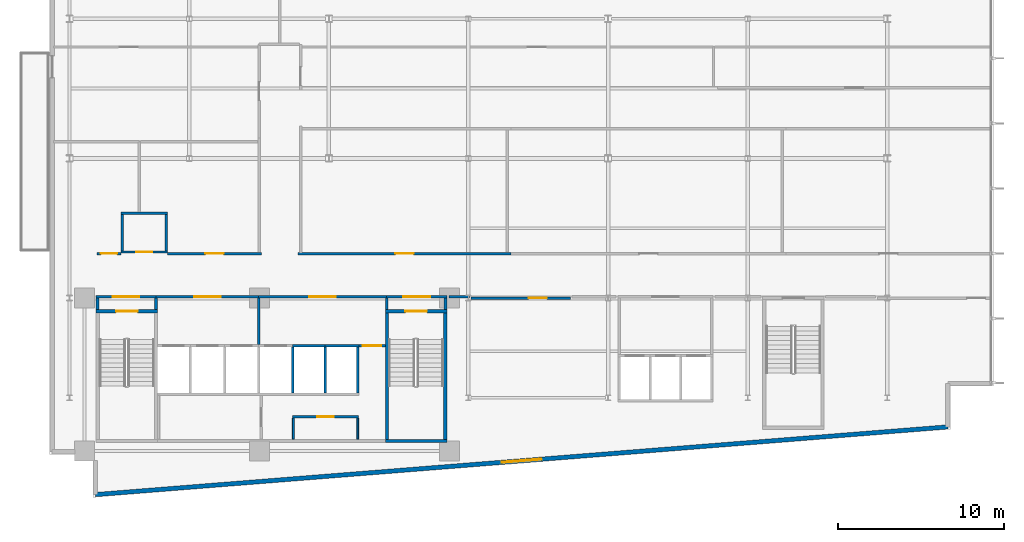
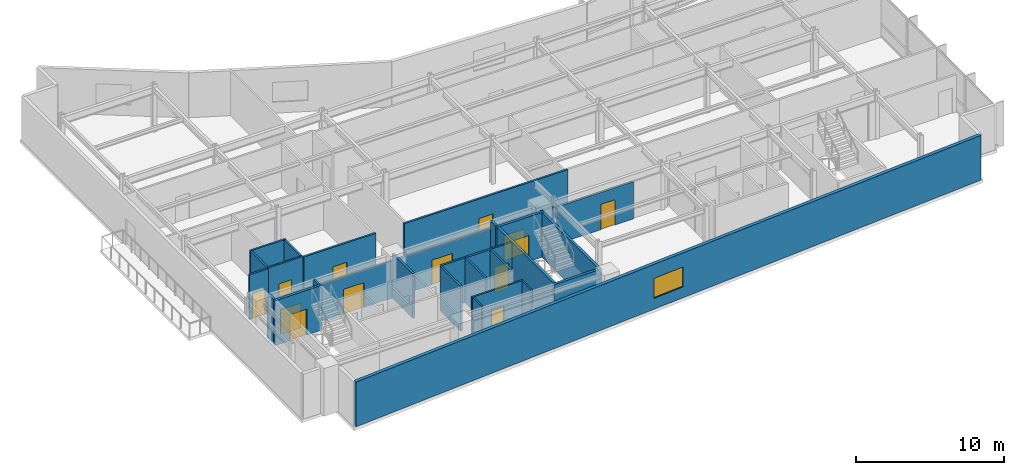
# One storey, part 10 of 16: 33 walls, 13 doors, 1 window, 14 openings.
"""IFC4 building model written with IfcOpenShell, lengths in metres."""

from ifc_helpers import new_model, si_unit, direction, frame, frame_2d, origin, place, context, subcontext, project, spatial, rectangle, extrude, material, layer, layer_set, type_object, element, fill, save


model = new_model("IFC4")

# Units and contexts
model_context = context("Model", 3, precision=1e-05, world=origin(), true_north=direction((0.0, 1.0)))
body_context = subcontext(model_context, "Body", "Model", "MODEL_VIEW")
ifc_project = project(units=[si_unit("LENGTHUNIT", "METRE"), si_unit("AREAUNIT", "SQUARE_METRE"), si_unit("VOLUMEUNIT", "CUBIC_METRE"), si_unit("PLANEANGLEUNIT", "RADIAN"), si_unit("MASSUNIT", "GRAM", prefix="KILO")], contexts=[model_context])

# Site, building, storey
site_placement = place(None, origin())
site = spatial("IfcSite", under=ifc_project, at=site_placement, CompositionType="ELEMENT")
building_placement = place(site_placement, origin())
building = spatial("IfcBuilding", under=site, at=building_placement, Name="Varnakote Quay Hospital", CompositionType="ELEMENT")
storey_placement = place(building_placement, frame((0.0, 0.0, 166.550048828125)))
storey = spatial("IfcBuildingStorey", under=building, at=storey_placement, Name="L41", CompositionType="ELEMENT", Elevation=166.550048828125)

# Wall
ifc_material_1 = material(Name="Fire-rated acoustic gypsum stud wall", Category="gypsum")
ifc_layer_1 = layer(ifc_material_1, 0.159912109375)
ifc_layer_set_1 = layer_set([ifc_layer_1], Name="Fire-rated acoustic gypsum stud wall")
wall_type_1 = type_object("IfcWallType", Name="WL-COMP-160", PredefinedType="PARTITIONING", material=ifc_layer_set_1)
wall_1_placement = place(storey_placement, frame((2.8798828125, 11.300048828125, 0.0), z_axis=(0.0, 0.0, 1.0), x_axis=(0.0, 1.0, 0.0)))
element("IfcWall", 1, at=wall_1_placement, inside=storey, type_object=wall_type_1, Name="L41 West Stair Vestibule West Wall", PredefinedType="PARTITIONING", context=body_context, shape_type="SweptSolid", body=[
    extrude(rectangle(XDim=0.699951171875, YDim=0.159912109375, at=frame_2d((0.35009765625, 0.0))), origin(), (0.0, 0.0, 1.0), 3.7099609375),
])

# Wall, opening, door
wall_2_placement = place(storey_placement, frame((2.800048828125, 12.080078125, 0.0), z_axis=(0.0, 0.0, 1.0), x_axis=(1.0, 0.0, 0.0)))
wall_2 = element("IfcWall", 2, at=wall_2_placement, inside=storey, type_object=wall_type_1, Name="L41 West Stair Vestibule Smoke Wall", PredefinedType="PARTITIONING", context=body_context, shape_type="SweptSolid", body=[
    extrude(rectangle(XDim=3.599853515625, YDim=0.159912109375, at=frame_2d((1.7998046875, 0.0))), origin(), (0.0, 0.0, 1.0), 3.0830078125),
])
opening_1_placement = place(wall_2_placement, frame((1.0, 0.0, 0.0)))
opening_1 = element("IfcOpeningElement", 3, at=opening_1_placement, cuts=wall_2, Name="Opening D-ST1L-L41", PredefinedType="OPENING", context=body_context, shape_type="SweptSolid", body=[
    extrude(rectangle(XDim=1.60009765625, YDim=2.050048828125, at=frame_2d((0.800048828125, 1.02490234375))), frame((0.0, 0.08984375, 0.0), z_axis=(0.0, -1.0, 0.0), x_axis=(1.0, 0.0, 0.0)), (0.0, 0.0, 1.0), 0.179931640625),
])
ifc_material_2 = material(Name="Fire-rated double smoke lobby door")
door_type_1 = type_object("IfcDoorType", Name="DR-LOBBY-FD60S-1600x2150", OperationType="NOTDEFINED", PredefinedType="DOOR", material=ifc_material_2)
door_1_placement = place(opening_1_placement, origin())
door_1 = element("IfcDoor", 4, at=door_1_placement, inside=storey, type_object=door_type_1, Name="L41 West Stair Vestibule Smoke Door", OperationType="DOUBLE_DOOR_SINGLE_SWING", OverallHeight=2.050048828125, OverallWidth=1.60009765625, PredefinedType="DOOR", context=body_context, shape_type="SweptSolid", body=[
    extrude(rectangle(XDim=1.60009765625, YDim=2.050048828125, at=frame_2d((0.800048828125, 1.02490234375))), frame((0.0, 0.02490234375, 0.0), z_axis=(0.0, -1.0, 0.0), x_axis=(1.0, 0.0, 0.0)), (0.0, 0.0, 1.0), 0.050048828125),
])
fill(opening_1, door_1)

# Wall
wall_3_placement = place(storey_placement, frame((6.39990234375, 11.300048828125, 0.0), z_axis=(0.0, 0.0, 1.0), x_axis=(0.0, 1.0, 0.0)))
element("IfcWall", 5, at=wall_3_placement, inside=storey, type_object=wall_type_1, Name="L41 Firefighting Lobby West Wall", PredefinedType="PARTITIONING", context=body_context, shape_type="SweptSolid", body=[
    extrude(rectangle(XDim=0.699951171875, YDim=0.159912109375, at=frame_2d((0.35009765625, 0.0))), origin(), (0.0, 0.0, 1.0), 3.7099609375),
])

# Wall, opening, door
wall_4_placement = place(storey_placement, frame((6.39990234375, 12.080078125, 0.0), z_axis=(0.0, 0.0, 1.0), x_axis=(1.0, 0.0, 0.0)))
wall_4 = element("IfcWall", 6, at=wall_4_placement, inside=storey, type_object=wall_type_1, Name="L41 Firefighting Lift Lobby Compartment Wall", PredefinedType="PARTITIONING", context=body_context, shape_type="SweptSolid", body=[
    extrude(rectangle(XDim=6.18017578125, YDim=0.159912109375, at=frame_2d((3.090087890625, 0.0))), origin(), (0.0, 0.0, 1.0), 3.0830078125),
])
opening_2_placement = place(wall_4_placement, frame((2.2900390625, 0.0, 0.0)))
opening_2 = element("IfcOpeningElement", 7, at=opening_2_placement, cuts=wall_4, Name="Opening D-FFL-L41", PredefinedType="OPENING", context=body_context, shape_type="SweptSolid", body=[
    extrude(rectangle(XDim=1.60009765625, YDim=2.050048828125, at=frame_2d((0.800048828125, 1.02490234375))), frame((0.0, 0.08984375, 0.0), z_axis=(0.0, -1.0, 0.0), x_axis=(1.0, 0.0, 0.0)), (0.0, 0.0, 1.0), 0.179931640625),
])
door_2_placement = place(opening_2_placement, origin())
door_2 = element("IfcDoor", 8, at=door_2_placement, inside=storey, type_object=door_type_1, Name="L41 Firefighting Smoke Vestibule Door", OperationType="DOUBLE_DOOR_SINGLE_SWING", OverallHeight=2.050048828125, OverallWidth=1.60009765625, PredefinedType="DOOR", context=body_context, shape_type="SweptSolid", body=[
    extrude(rectangle(XDim=1.60009765625, YDim=2.050048828125, at=frame_2d((0.800048828125, 1.02490234375))), frame((0.0, 0.02490234375, 0.0), z_axis=(0.0, -1.0, 0.0), x_axis=(1.0, 0.0, 0.0)), (0.0, 0.0, 1.0), 0.050048828125),
])
fill(opening_2, door_2)

# Wall
wall_5_placement = place(storey_placement, frame((12.580078125, 9.2099609375, 0.0), z_axis=(0.0, 0.0, 1.0), x_axis=(0.0, 1.0, 0.0)))
element("IfcWall", 9, at=wall_5_placement, inside=storey, type_object=wall_type_1, Name="L41 Firefighting to Service Lobby Wall", PredefinedType="PARTITIONING", context=body_context, shape_type="SweptSolid", body=[
    extrude(rectangle(XDim=2.7900390625, YDim=0.159912109375, at=frame_2d((1.39501953125, 0.0))), origin(), (0.0, 0.0, 1.0), 3.7099609375),
])

# Wall, opening, door
wall_6_placement = place(storey_placement, frame((12.580078125, 12.080078125, 0.0), z_axis=(0.0, 0.0, 1.0), x_axis=(1.0, 0.0, 0.0)))
wall_6 = element("IfcWall", 10, at=wall_6_placement, inside=storey, type_object=wall_type_1, Name="L41 Clinical Bed Lift Lobby Wall", PredefinedType="PARTITIONING", context=body_context, shape_type="SweptSolid", body=[
    extrude(rectangle(XDim=7.699951171875, YDim=0.159912109375, at=frame_2d((3.85009765625, 0.0))), origin(), (0.0, 0.0, 1.0), 3.0830078125),
])
opening_3_placement = place(wall_6_placement, frame((3.050048828125, 0.0, 0.0)))
opening_3 = element("IfcOpeningElement", 11, at=opening_3_placement, cuts=wall_6, Name="Opening D-SVL-L41", PredefinedType="OPENING", context=body_context, shape_type="SweptSolid", body=[
    extrude(rectangle(XDim=1.60009765625, YDim=2.050048828125, at=frame_2d((0.800048828125, 1.02490234375))), frame((0.0, 0.08984375, 0.0), z_axis=(0.0, -1.0, 0.0), x_axis=(1.0, 0.0, 0.0)), (0.0, 0.0, 1.0), 0.179931640625),
])
door_3_placement = place(opening_3_placement, origin())
door_3 = element("IfcDoor", 12, at=door_3_placement, inside=storey, type_object=door_type_1, Name="L41 Clinical Core Smoke Vestibule Door", OperationType="DOUBLE_DOOR_SINGLE_SWING", OverallHeight=2.050048828125, OverallWidth=1.60009765625, PredefinedType="DOOR", context=body_context, shape_type="SweptSolid", body=[
    extrude(rectangle(XDim=1.60009765625, YDim=2.050048828125, at=frame_2d((0.800048828125, 1.02490234375))), frame((0.0, 0.02490234375, 0.0), z_axis=(0.0, -1.0, 0.0), x_axis=(1.0, 0.0, 0.0)), (0.0, 0.0, 1.0), 0.050048828125),
])
fill(opening_3, door_3)

# Wall
wall_7_placement = place(storey_placement, frame((20.280029296875, 11.300048828125, 0.0), z_axis=(0.0, 0.0, 1.0), x_axis=(0.0, 1.0, 0.0)))
element("IfcWall", 13, at=wall_7_placement, inside=storey, type_object=wall_type_1, Name="L41 East Stair Vestibule Divider Wall", PredefinedType="PARTITIONING", context=body_context, shape_type="SweptSolid", body=[
    extrude(rectangle(XDim=0.699951171875, YDim=0.159912109375, at=frame_2d((0.35009765625, 0.0))), origin(), (0.0, 0.0, 1.0), 3.7099609375),
])

# Wall, opening, door
wall_8_placement = place(storey_placement, frame((20.280029296875, 12.080078125, 0.0), z_axis=(0.0, 0.0, 1.0), x_axis=(1.0, 0.0, 0.0)))
wall_8 = element("IfcWall", 14, at=wall_8_placement, inside=storey, type_object=wall_type_1, Name="L41 East Stair Vestibule Smoke Wall", PredefinedType="PARTITIONING", context=body_context, shape_type="SweptSolid", body=[
    extrude(rectangle(XDim=3.619873046875, YDim=0.159912109375, at=frame_2d((1.81005859375, 0.0))), origin(), (0.0, 0.0, 1.0), 3.0830078125),
])
opening_4_placement = place(wall_8_placement, frame((1.010009765625, 0.0, 0.0)))
opening_4 = element("IfcOpeningElement", 15, at=opening_4_placement, cuts=wall_8, Name="Opening D-ST2L-L41", PredefinedType="OPENING", context=body_context, shape_type="SweptSolid", body=[
    extrude(rectangle(XDim=1.60009765625, YDim=2.050048828125, at=frame_2d((0.800048828125, 1.02490234375))), frame((0.0, 0.08984375, 0.0), z_axis=(0.0, -1.0, 0.0), x_axis=(1.0, 0.0, 0.0)), (0.0, 0.0, 1.0), 0.179931640625),
])
door_4_placement = place(opening_4_placement, origin())
door_4 = element("IfcDoor", 16, at=door_4_placement, inside=storey, type_object=door_type_1, Name="L41 East Stair Vestibule Smoke Door", OperationType="DOUBLE_DOOR_SINGLE_SWING", OverallHeight=2.050048828125, OverallWidth=1.60009765625, PredefinedType="DOOR", context=body_context, shape_type="SweptSolid", body=[
    extrude(rectangle(XDim=1.60009765625, YDim=2.050048828125, at=frame_2d((0.800048828125, 1.02490234375))), frame((0.0, 0.02490234375, 0.0), z_axis=(0.0, -1.0, 0.0), x_axis=(1.0, 0.0, 0.0)), (0.0, 0.0, 1.0), 0.050048828125),
])
fill(opening_4, door_4)

# Walls
wall_9_placement = place(storey_placement, frame((23.820068359375, 11.300048828125, 0.0), z_axis=(0.0, 0.0, 1.0), x_axis=(0.0, 1.0, 0.0)))
element("IfcWall", 17, at=wall_9_placement, inside=storey, type_object=wall_type_1, Name="L41 East Stair Vestibule East Wall", PredefinedType="PARTITIONING", context=body_context, shape_type="SweptSolid", body=[
    extrude(rectangle(XDim=0.699951171875, YDim=0.159912109375, at=frame_2d((0.35009765625, 0.0))), origin(), (0.0, 0.0, 1.0), 3.7099609375),
])
wall_10_placement = place(storey_placement, frame((24.02001953125, 12.080078125, 0.0), z_axis=(0.0, 0.0, 1.0), x_axis=(1.0, 0.0, 0.0)))
element("IfcWall", 18, at=wall_10_placement, inside=storey, type_object=wall_type_1, Name="L41 Corridor South Gap Wall", PredefinedType="PARTITIONING", context=body_context, shape_type="SweptSolid", body=[
    extrude(rectangle(XDim=1.244140625, YDim=0.159912109375, at=frame_2d((0.6220703125, 0.0))), origin(), (0.0, 0.0, 1.0), 3.0830078125),
])

# Wall, opening, window
ifc_material_3 = material(Name="Precast concrete N50 (f'c 50 MPa)", Category="concrete")
ifc_layer_2 = layer(ifc_material_3, 0.260009765625)
ifc_layer_set_2 = layer_set([ifc_layer_2], Name="Precast concrete N50 (f'c 50 MPa)")
wall_type_2 = type_object("IfcWallType", Name="WL-EXT-BRICK-260", PredefinedType="STANDARD", material=ifc_layer_set_2)
wall_11_placement = place(storey_placement, frame((2.760009765625, 0.173095703125, 0.0), z_axis=(0.0, 0.0, 1.0), x_axis=(0.996857931723, 0.079210251617, 0.0)))
wall_11 = element("IfcWall", 19, at=wall_11_placement, inside=storey, type_object=wall_type_2, Name="L41 Brick-Faced Precast Exterior Wall", PredefinedType="STANDARD", context=body_context, shape_type="SweptSolid", body=[
    extrude(rectangle(XDim=51.441650390625, YDim=0.260009765625, at=frame_2d((25.720703125, 0.0))), origin(), (0.0, 0.0, 1.0), 3.7099609375),
])
opening_5_placement = place(wall_11_placement, frame((24.520751953125, 0.0, 0.89990234375)))
opening_5 = element("IfcOpeningElement", 20, at=opening_5_placement, cuts=wall_11, Name="Opening WN-0174", PredefinedType="OPENING", context=body_context, shape_type="SweptSolid", body=[
    extrude(rectangle(XDim=2.39990234375, YDim=1.64990234375, at=frame_2d((1.199951171875, 0.824951171875))), frame((0.0, 0.139892578125, 0.0), z_axis=(0.0, -1.0, 0.0), x_axis=(1.0, 0.0, 0.0)), (0.0, 0.0, 1.0), 0.280029296875),
])
ifc_material_4 = material(Name="Double-glazed low-E solar glass", Category="glass")
window_type = type_object("IfcWindowType", Name="WIN-CLIN-2400x1650", PartitioningType="SINGLE_PANEL", PredefinedType="WINDOW", material=ifc_material_4)
window_placement = place(opening_5_placement, origin())
window = element("IfcWindow", 21, at=window_placement, inside=storey, type_object=window_type, Name="L41 Solar-Control Clinical Window", OverallHeight=1.64990234375, OverallWidth=2.39990234375, PartitioningType="SINGLE_PANEL", PredefinedType="WINDOW", context=body_context, shape_type="SweptSolid", body=[
    extrude(rectangle(XDim=2.39990234375, YDim=1.64990234375, at=frame_2d((1.199951171875, 0.824951171875))), frame((0.0, 0.030029296875, 0.0), z_axis=(0.0, -1.0, 0.0), x_axis=(1.0, 0.0, 0.0)), (0.0, 0.0, 1.0), 0.06005859375),
])
fill(opening_5, window)

# Walls
ifc_material_5 = material(Name="Concrete N50 (f'c 50 MPa)", Category="concrete")
ifc_layer_3 = layer(ifc_material_5, 0.14990234375)
ifc_layer_set_3 = layer_set([ifc_layer_3], Name="Concrete N50 (f'c 50 MPa)")
wall_type_3 = type_object("IfcWallType", Name="WL-SHAFT-N50-150", PredefinedType="SHEAR", material=ifc_layer_set_3)
for number, where, z_axis, x_axis, name in (
    (22, (14.625, 6.300048828125, 0.0), (0.0, 0.0, 1.0), (0.0, 1.0, 0.0), "L41 LF-SV2 Hoistway Divider Wall"),
    (23, (16.574951171875, 6.300048828125, 0.0), (0.0, 0.0, 1.0), (0.0, 1.0, 0.0), "L41 LF-PH1 Hoistway Divider Wall"),
):
    element("IfcWall", number, at=place(storey_placement, frame(where, z_axis=z_axis, x_axis=x_axis)), inside=storey, type_object=wall_type_3, Name=name, PredefinedType="SHEAR", context=body_context, shape_type="SweptSolid", body=[
        extrude(rectangle(XDim=2.75, YDim=0.14990234375, at=frame_2d((1.375, 0.0))), origin(), (0.0, 0.0, 1.0), 3.7099609375),
    ])
ifc_material_6 = material(Name="Concrete N50 (f'c 50 MPa)", Category="concrete")
ifc_layer_4 = layer(ifc_material_6, 0.159912109375)
ifc_layer_set_4 = layer_set([ifc_layer_4], Name="Concrete N50 (f'c 50 MPa)")
wall_type_4 = type_object("IfcWallType", Name="WL-SHAFT-N50-160", PredefinedType="SHEAR", material=ifc_layer_set_4)
wall_12_placement = place(storey_placement, frame((18.530029296875, 6.300048828125, 0.0), z_axis=(0.0, 0.0, 1.0), x_axis=(0.0, 1.0, 0.0)))
element("IfcWall", 24, at=wall_12_placement, inside=storey, type_object=wall_type_4, Name="L41 REAR Lift Bank East Shear Wall", PredefinedType="SHEAR", context=body_context, shape_type="SweptSolid", body=[
    extrude(rectangle(XDim=2.75, YDim=0.159912109375, at=frame_2d((1.375, 0.0))), origin(), (0.0, 0.0, 1.0), 3.7099609375),
])
wall_13_placement = place(storey_placement, frame((14.625, 9.1298828125, 0.0), z_axis=(0.0, 0.0, 1.0), x_axis=(1.0, 0.0, 0.0)))
element("IfcWall", 25, at=wall_13_placement, inside=storey, type_object=wall_type_4, Name="L41 LF-PH1 Hoistway Front Wall", PredefinedType="SHEAR", context=body_context, shape_type="SweptSolid", body=[
    extrude(rectangle(XDim=1.949951171875, YDim=0.159912109375, at=frame_2d((0.97509765625, 0.0))), origin(), (0.0, 0.0, 1.0), 3.7099609375),
])
wall_14_placement = place(storey_placement, frame((16.574951171875, 9.1298828125, 0.0), z_axis=(0.0, 0.0, 1.0), x_axis=(1.0, 0.0, 0.0)))
element("IfcWall", 26, at=wall_14_placement, inside=storey, type_object=wall_type_4, Name="L41 LF-PH2 Hoistway Front Wall", PredefinedType="SHEAR", context=body_context, shape_type="SweptSolid", body=[
    extrude(rectangle(XDim=2.03515625, YDim=0.159912109375, at=frame_2d((1.017578125, 0.0))), origin(), (0.0, 0.0, 1.0), 3.7099609375),
])

# Wall, opening, door
ifc_material_7 = material(Name="Concrete N50 (f'c 50 MPa)", Category="concrete")
ifc_layer_5 = layer(ifc_material_7, 0.199951171875)
ifc_layer_set_5 = layer_set([ifc_layer_5], Name="Concrete N50 (f'c 50 MPa)")
wall_type_5 = type_object("IfcWallType", Name="WL-SHAFT-N50-200", PredefinedType="SHEAR", material=ifc_layer_set_5)
wall_15_placement = place(storey_placement, frame((2.800048828125, 11.199951171875, 0.0), z_axis=(0.0, 0.0, 1.0), x_axis=(1.0, 0.0, 0.0)))
wall_15 = element("IfcWall", 27, at=wall_15_placement, inside=storey, type_object=wall_type_5, Name="L41 Stair ST1 Exit Wall", PredefinedType="SHEAR", context=body_context, shape_type="SweptSolid", body=[
    extrude(rectangle(XDim=3.699951171875, YDim=0.199951171875, at=frame_2d((1.85009765625, 0.0))), origin(), (0.0, 0.0, 1.0), 3.7099609375),
])
opening_6_placement = place(wall_15_placement, frame((1.199951171875, 0.0, 0.0)))
opening_6 = element("IfcOpeningElement", 28, at=opening_6_placement, cuts=wall_15, Name="Opening D-ST1-L41", PredefinedType="OPENING", context=body_context, shape_type="SweptSolid", body=[
    extrude(rectangle(XDim=1.300048828125, YDim=2.14990234375, at=frame_2d((0.64990234375, 1.074951171875))), frame((0.0, 0.10986328125, 0.0), z_axis=(0.0, -1.0, 0.0), x_axis=(1.0, 0.0, 0.0)), (0.0, 0.0, 1.0), 0.219970703125),
])
ifc_material_8 = material(Name="Fire-rated ceramic-glazed timber exit door", Category="wood")
door_type_2 = type_object("IfcDoorType", Name="DR-STAIR-FD60S-1300x2150", OperationType="NOTDEFINED", PredefinedType="DOOR", material=ifc_material_8)
door_5_placement = place(opening_6_placement, origin())
door_5 = element("IfcDoor", 29, at=door_5_placement, inside=storey, type_object=door_type_2, Name="L41 Stair ST1 Fire Exit Door", OperationType="SINGLE_SWING_RIGHT", OverallHeight=2.14990234375, OverallWidth=1.300048828125, PredefinedType="DOOR", context=body_context, shape_type="SweptSolid", body=[
    extrude(rectangle(XDim=1.300048828125, YDim=2.14990234375, at=frame_2d((0.64990234375, 1.074951171875))), frame((0.0, 0.02490234375, 0.0), z_axis=(0.0, -1.0, 0.0), x_axis=(1.0, 0.0, 0.0)), (0.0, 0.0, 1.0), 0.050048828125),
])
fill(opening_6, door_5)

# Walls
wall_16_placement = place(storey_placement, frame((20.199951171875, 3.39990234375, 0.0), z_axis=(0.0, 0.0, 1.0), x_axis=(1.0, 0.0, 0.0)))
element("IfcWall", 30, at=wall_16_placement, inside=storey, type_object=wall_type_5, Name="L41 Stair ST2 South Shaft Wall", PredefinedType="SHEAR", context=body_context, shape_type="SweptSolid", body=[
    extrude(rectangle(XDim=3.699951171875, YDim=0.199951171875, at=frame_2d((1.85009765625, 0.0))), origin(), (0.0, 0.0, 1.0), 3.7099609375),
])
for number, where, z_axis, x_axis, name in (
    (31, (20.300048828125, 3.5, 0.0), (0.0, 0.0, 1.0), (0.0, 1.0, 0.0), "L41 Stair ST2 West Shaft Wall"),
    (32, (23.800048828125, 3.5, 0.0), (0.0, 0.0, 1.0), (0.0, 1.0, 0.0), "L41 Stair ST2 East Shaft Wall"),
):
    element("IfcWall", number, at=place(storey_placement, frame(where, z_axis=z_axis, x_axis=x_axis)), inside=storey, type_object=wall_type_5, Name=name, PredefinedType="SHEAR", context=body_context, shape_type="SweptSolid", body=[
        extrude(rectangle(XDim=7.60009765625, YDim=0.199951171875, at=frame_2d((3.800048828125, 0.0))), origin(), (0.0, 0.0, 1.0), 3.7099609375),
    ])

# Wall, opening, door
wall_17_placement = place(storey_placement, frame((20.199951171875, 11.199951171875, 0.0), z_axis=(0.0, 0.0, 1.0), x_axis=(1.0, 0.0, 0.0)))
wall_17 = element("IfcWall", 33, at=wall_17_placement, inside=storey, type_object=wall_type_5, Name="L41 Stair ST2 Exit Wall", PredefinedType="SHEAR", context=body_context, shape_type="SweptSolid", body=[
    extrude(rectangle(XDim=3.699951171875, YDim=0.199951171875, at=frame_2d((1.85009765625, 0.0))), origin(), (0.0, 0.0, 1.0), 3.7099609375),
])
opening_7_placement = place(wall_17_placement, frame((1.199951171875, 0.0, 0.0)))
opening_7 = element("IfcOpeningElement", 34, at=opening_7_placement, cuts=wall_17, Name="Opening D-ST2-L41", PredefinedType="OPENING", context=body_context, shape_type="SweptSolid", body=[
    extrude(rectangle(XDim=1.300048828125, YDim=2.14990234375, at=frame_2d((0.64990234375, 1.074951171875))), frame((0.0, 0.10986328125, 0.0), z_axis=(0.0, -1.0, 0.0), x_axis=(1.0, 0.0, 0.0)), (0.0, 0.0, 1.0), 0.219970703125),
])
door_6_placement = place(opening_7_placement, origin())
door_6 = element("IfcDoor", 35, at=door_6_placement, inside=storey, type_object=door_type_2, Name="L41 Stair ST2 Fire Exit Door", OperationType="SINGLE_SWING_LEFT", OverallHeight=2.14990234375, OverallWidth=1.300048828125, PredefinedType="DOOR", context=body_context, shape_type="SweptSolid", body=[
    extrude(rectangle(XDim=1.300048828125, YDim=2.14990234375, at=frame_2d((0.64990234375, 1.074951171875))), frame((0.0, 0.02490234375, 0.0), z_axis=(0.0, -1.0, 0.0), x_axis=(1.0, 0.0, 0.0)), (0.0, 0.0, 1.0), 0.050048828125),
])
fill(opening_7, door_6)

# Walls
ifc_material_9 = material(Name="Smoke-proof clinical partition", Category="gypsum")
ifc_layer_6 = layer(ifc_material_9, 0.1201171875)
ifc_layer_set_6 = layer_set([ifc_layer_6], Name="Smoke-proof clinical partition")
wall_type_6 = type_object("IfcWallType", Name="WL-SMOKE-120", PredefinedType="PARTITIONING", material=ifc_layer_set_6)
for number, where, z_axis, x_axis, name in (
    (36, (14.669921875, 3.52001953125, 0.0), (0.0, 0.0, 1.0), (0.0, 1.0, 0.0), "L41 Core WC West Wall"),
    (37, (18.5400390625, 3.52001953125, 0.0), (0.0, 0.0, 1.0), (0.0, 1.0, 0.0), "L41 Core WC East Wall"),
):
    element("IfcWall", number, at=place(storey_placement, frame(where, z_axis=z_axis, x_axis=x_axis)), inside=storey, type_object=wall_type_6, Name=name, PredefinedType="PARTITIONING", context=body_context, shape_type="SweptSolid", body=[
        extrude(rectangle(XDim=1.260009765625, YDim=0.1201171875, at=frame_2d((0.6298828125, 0.0))), origin(), (0.0, 0.0, 1.0), 3.7099609375),
    ])

# Wall, opening, door
ifc_material_10 = material(Name="Fire-rated clinical gypsum partition", Category="gypsum")
ifc_layer_7 = layer(ifc_material_10, 0.139892578125)
ifc_layer_set_7 = layer_set([ifc_layer_7], Name="Fire-rated clinical gypsum partition")
wall_type_7 = type_object("IfcWallType", Name="WL-WARD-140", PredefinedType="PARTITIONING", material=ifc_layer_set_7)
wall_18_placement = place(storey_placement, frame((14.60009765625, 4.85009765625, 0.0), z_axis=(0.0, 0.0, 1.0), x_axis=(1.0, 0.0, 0.0)))
wall_18 = element("IfcWall", 38, at=wall_18_placement, inside=storey, type_object=wall_type_7, Name="L41 Core Staff Sanitary WC North Wall", PredefinedType="PARTITIONING", context=body_context, shape_type="SweptSolid", body=[
    extrude(rectangle(XDim=4.0, YDim=0.139892578125, at=frame_2d((2.0, 0.0))), origin(), (0.0, 0.0, 1.0), 3.7099609375),
])
opening_8_placement = place(wall_18_placement, frame((1.510009765625, 0.0, 0.0)))
opening_8 = element("IfcOpeningElement", 39, at=opening_8_placement, cuts=wall_18, Name="Opening D-L41-CR02", PredefinedType="OPENING", context=body_context, shape_type="SweptSolid", body=[
    extrude(rectangle(XDim=0.97998046875, YDim=2.10009765625, at=frame_2d((0.489990234375, 1.050048828125))), frame((0.0, 0.079833984375, 0.0), z_axis=(0.0, -1.0, 0.0), x_axis=(1.0, 0.0, 0.0)), (0.0, 0.0, 1.0), 0.159912109375),
])
ifc_material_11 = material(Name="Accessible sanitary compartment door")
door_type_3 = type_object("IfcDoorType", Name="DR-WC-980x2100", OperationType="NOTDEFINED", PredefinedType="DOOR", material=ifc_material_11)
door_7_placement = place(opening_8_placement, origin())
door_7 = element("IfcDoor", 40, at=door_7_placement, inside=storey, type_object=door_type_3, Name="L41 Core Staff Sanitary WC Door", OperationType="SINGLE_SWING_RIGHT", OverallHeight=2.10009765625, OverallWidth=0.97998046875, PredefinedType="DOOR", context=body_context, shape_type="SweptSolid", body=[
    extrude(rectangle(XDim=0.97998046875, YDim=2.10009765625, at=frame_2d((0.489990234375, 1.050048828125))), frame((0.0, 0.02490234375, 0.0), z_axis=(0.0, -1.0, 0.0), x_axis=(1.0, 0.0, 0.0)), (0.0, 0.0, 1.0), 0.050048828125),
])
fill(opening_8, door_7)

wall_19_placement = place(storey_placement, frame((18.610107421875, 9.1298828125, 0.0), z_axis=(0.0, 0.0, 1.0), x_axis=(1.0, 0.0, 0.0)))
wall_19 = element("IfcWall", 41, at=wall_19_placement, inside=storey, type_object=wall_type_7, Name="L41 Core Service Corridor North Door Wall", PredefinedType="PARTITIONING", context=body_context, shape_type="SweptSolid", body=[
    extrude(rectangle(XDim=1.58984375, YDim=0.139892578125, at=frame_2d((0.794921875, 0.0))), origin(), (0.0, 0.0, 1.0), 3.7099609375),
])
opening_9_placement = place(wall_19_placement, frame((0.239990234375, 0.0, 0.0)))
opening_9 = element("IfcOpeningElement", 42, at=opening_9_placement, cuts=wall_19, Name="Opening D-CSRV-L41", PredefinedType="OPENING", context=body_context, shape_type="SweptSolid", body=[
    extrude(rectangle(XDim=1.10009765625, YDim=2.10009765625, at=frame_2d((0.550048828125, 1.050048828125))), frame((0.0, 0.079833984375, 0.0), z_axis=(0.0, -1.0, 0.0), x_axis=(1.0, 0.0, 0.0)), (0.0, 0.0, 1.0), 0.159912109375),
])
ifc_material_12 = material(Name="Acoustic timber clinical consult door", Category="wood")
door_type_4 = type_object("IfcDoorType", Name="DR-CLIN-FD30S-1100x2100", OperationType="NOTDEFINED", PredefinedType="DOOR", material=ifc_material_12)
door_8_placement = place(opening_9_placement, origin())
door_8 = element("IfcDoor", 43, at=door_8_placement, inside=storey, type_object=door_type_4, Name="L41 Core Service Corridor Door", OperationType="SINGLE_SWING_LEFT", OverallHeight=2.10009765625, OverallWidth=1.10009765625, PredefinedType="DOOR", context=body_context, shape_type="SweptSolid", body=[
    extrude(rectangle(XDim=1.10009765625, YDim=2.10009765625, at=frame_2d((0.550048828125, 1.050048828125))), frame((0.0, 0.02490234375, 0.0), z_axis=(0.0, -1.0, 0.0), x_axis=(1.0, 0.0, 0.0)), (0.0, 0.0, 1.0), 0.050048828125),
])
fill(opening_9, door_8)

wall_20_placement = place(storey_placement, frame((4.31005859375, 14.77001953125, 0.0), z_axis=(0.0, 0.0, 1.0), x_axis=(1.0, 0.0, 0.0)))
wall_20 = element("IfcWall", 44, at=wall_20_placement, inside=storey, type_object=wall_type_7, Name="L41 Floor Unisex Accessible WC S Wall", PredefinedType="PARTITIONING", context=body_context, shape_type="SweptSolid", body=[
    extrude(rectangle(XDim=2.780029296875, YDim=0.139892578125, at=frame_2d((1.39013671875, 0.0))), origin(), (0.0, 0.0, 1.0), 3.7099609375),
])
opening_10_placement = place(wall_20_placement, frame((0.89990234375, 0.0, 0.0)))
opening_10 = element("IfcOpeningElement", 45, at=opening_10_placement, cuts=wall_20, Name="Opening D-L41-EW01", PredefinedType="OPENING", context=body_context, shape_type="SweptSolid", body=[
    extrude(rectangle(XDim=0.97998046875, YDim=2.10009765625, at=frame_2d((0.489990234375, 1.050048828125))), frame((0.0, 0.079833984375, 0.0), z_axis=(0.0, -1.0, 0.0), x_axis=(1.0, 0.0, 0.0)), (0.0, 0.0, 1.0), 0.159912109375),
])
door_9_placement = place(opening_10_placement, origin())
door_9 = element("IfcDoor", 46, at=door_9_placement, inside=storey, type_object=door_type_3, Name="L41 Floor Unisex Accessible WC Door", OperationType="SINGLE_SWING_RIGHT", OverallHeight=2.10009765625, OverallWidth=0.97998046875, PredefinedType="DOOR", context=body_context, shape_type="SweptSolid", body=[
    extrude(rectangle(XDim=0.97998046875, YDim=2.10009765625, at=frame_2d((0.489990234375, 1.050048828125))), frame((0.0, 0.02490234375, 0.0), z_axis=(0.0, -1.0, 0.0), x_axis=(1.0, 0.0, 0.0)), (0.0, 0.0, 1.0), 0.050048828125),
])
fill(opening_10, door_9)

# Walls
wall_21_placement = place(storey_placement, frame((4.31005859375, 17.110107421875, 0.0), z_axis=(0.0, 0.0, 1.0), x_axis=(1.0, 0.0, 0.0)))
element("IfcWall", 47, at=wall_21_placement, inside=storey, type_object=wall_type_7, Name="L41 Floor Unisex Accessible WC N Wall", PredefinedType="PARTITIONING", context=body_context, shape_type="SweptSolid", body=[
    extrude(rectangle(XDim=2.780029296875, YDim=0.139892578125, at=frame_2d((1.39013671875, 0.0))), origin(), (0.0, 0.0, 1.0), 3.7099609375),
])
for number, where, z_axis, x_axis, name in (
    (48, (4.3798828125, 14.840087890625, 0.0), (0.0, 0.0, 1.0), (0.0, 1.0, 0.0), "L41 Floor Unisex Accessible WC W Wall"),
    (49, (7.02001953125, 14.840087890625, 0.0), (0.0, 0.0, 1.0), (0.0, 1.0, 0.0), "L41 Floor Unisex Accessible WC E Wall"),
):
    element("IfcWall", number, at=place(storey_placement, frame(where, z_axis=z_axis, x_axis=x_axis)), inside=storey, type_object=wall_type_7, Name=name, PredefinedType="PARTITIONING", context=body_context, shape_type="SweptSolid", body=[
        extrude(rectangle(XDim=2.199951171875, YDim=0.139892578125, at=frame_2d((1.10009765625, 0.0))), origin(), (0.0, 0.0, 1.0), 3.7099609375),
    ])

# Wall, opening, door
ifc_material_13 = material(Name="Fire-rated clinical gypsum partition", Category="gypsum")
ifc_layer_8 = layer(ifc_material_13, 0.14990234375)
ifc_layer_set_8 = layer_set([ifc_layer_8], Name="Fire-rated clinical gypsum partition")
wall_type_8 = type_object("IfcWallType", Name="WL-WARD-150", PredefinedType="PARTITIONING", material=ifc_layer_set_8)
wall_22_placement = place(storey_placement, frame((31.35009765625, 12.0, 0.0), z_axis=(0.0, 0.0, 1.0), x_axis=(-1.0, 0.0, 0.0)))
wall_22 = element("IfcWall", 50, at=wall_22_placement, inside=storey, type_object=wall_type_8, Name="L41 Clinical Interior Partition", PredefinedType="PARTITIONING", context=body_context, shape_type="SweptSolid", body=[
    extrude(rectangle(XDim=5.99658203125, YDim=0.14990234375, at=frame_2d((2.998291015625, 0.0))), origin(), (0.0, 0.0, 1.0), 3.0830078125),
])
opening_11_placement = place(wall_22_placement, frame((1.4365234375, 0.0, 0.0)))
opening_11 = element("IfcOpeningElement", 51, at=opening_11_placement, cuts=wall_22, Name="Opening D-L41-RL1", PredefinedType="OPENING", context=body_context, shape_type="SweptSolid", body=[
    extrude(rectangle(XDim=1.10009765625, YDim=2.10009765625, at=frame_2d((0.550048828125, 1.050048828125))), frame((0.0, 0.0849609375, 0.0), z_axis=(0.0, -1.0, 0.0), x_axis=(1.0, 0.0, 0.0)), (0.0, 0.0, 1.0), 0.169921875),
])
door_10_placement = place(opening_11_placement, origin())
door_10 = element("IfcDoor", 52, at=door_10_placement, inside=storey, type_object=door_type_4, Name="L41 Day Infusion Treatment Suite Door", OperationType="SINGLE_SWING_LEFT", OverallHeight=2.10009765625, OverallWidth=1.10009765625, PredefinedType="DOOR", context=body_context, shape_type="SweptSolid", body=[
    extrude(rectangle(XDim=1.10009765625, YDim=2.10009765625, at=frame_2d((0.550048828125, 1.050048828125))), frame((0.0, 0.02490234375, 0.0), z_axis=(0.0, -1.0, 0.0), x_axis=(1.0, 0.0, 0.0)), (0.0, 0.0, 1.0), 0.050048828125),
])
fill(opening_11, door_10)

wall_23_placement = place(storey_placement, frame((4.30810546875, 14.679931640625, 0.0), z_axis=(0.0, 0.0, 1.0), x_axis=(-1.0, 0.0, 0.0)))
wall_23 = element("IfcWall", 53, at=wall_23_placement, inside=storey, type_object=wall_type_8, Name="L41 Clinical Interior Partition", PredefinedType="PARTITIONING", context=body_context, shape_type="SweptSolid", body=[
    extrude(rectangle(XDim=1.4580078125, YDim=0.14990234375, at=frame_2d((0.72900390625, 0.0))), origin(), (0.0, 0.0, 1.0), 3.7099609375),
])
opening_12_placement = place(wall_23_placement, frame((0.239013671875, 0.0, 0.0)))
opening_12 = element("IfcOpeningElement", 54, at=opening_12_placement, cuts=wall_23, Name="Opening D-L41-DLNG", PredefinedType="OPENING", context=body_context, shape_type="SweptSolid", body=[
    extrude(rectangle(XDim=0.97998046875, YDim=2.10009765625, at=frame_2d((0.489990234375, 1.050048828125))), frame((0.0, 0.0849609375, 0.0), z_axis=(0.0, -1.0, 0.0), x_axis=(1.0, 0.0, 0.0)), (0.0, 0.0, 1.0), 0.169921875),
])
door_11_placement = place(opening_12_placement, origin())
door_11 = element("IfcDoor", 55, at=door_11_placement, inside=storey, type_object=door_type_3, Name="L41 Waterfront Patient & Family Dayroom Door", OperationType="SINGLE_SWING_LEFT", OverallHeight=2.10009765625, OverallWidth=0.97998046875, PredefinedType="DOOR", context=body_context, shape_type="SweptSolid", body=[
    extrude(rectangle(XDim=0.97998046875, YDim=2.10009765625, at=frame_2d((0.489990234375, 1.050048828125))), frame((0.0, 0.02490234375, 0.0), z_axis=(0.0, -1.0, 0.0), x_axis=(1.0, 0.0, 0.0)), (0.0, 0.0, 1.0), 0.050048828125),
])
fill(opening_12, door_11)

wall_24_placement = place(storey_placement, frame((12.74609375, 14.679931640625, 0.0), z_axis=(0.0, 0.0, 1.0), x_axis=(-1.0, 0.0, 0.0)))
wall_24 = element("IfcWall", 56, at=wall_24_placement, inside=storey, type_object=wall_type_8, Name="L41 Clinical Interior Partition", PredefinedType="PARTITIONING", context=body_context, shape_type="SweptSolid", body=[
    extrude(rectangle(XDim=5.654052734375, YDim=0.14990234375, at=frame_2d((2.8271484375, 0.0))), origin(), (0.0, 0.0, 1.0), 3.7099609375),
])
opening_13_placement = place(wall_24_placement, frame((2.277099609375, 0.0, 0.0)))
opening_13 = element("IfcOpeningElement", 57, at=opening_13_placement, cuts=wall_24, Name="Opening D-L41-MD01", PredefinedType="OPENING", context=body_context, shape_type="SweptSolid", body=[
    extrude(rectangle(XDim=1.10009765625, YDim=2.10009765625, at=frame_2d((0.550048828125, 1.050048828125))), frame((0.0, 0.0849609375, 0.0), z_axis=(0.0, -1.0, 0.0), x_axis=(1.0, 0.0, 0.0)), (0.0, 0.0, 1.0), 0.169921875),
])
door_12_placement = place(opening_13_placement, origin())
door_12 = element("IfcDoor", 58, at=door_12_placement, inside=storey, type_object=door_type_4, Name="L41 Maternal Recovery Treatment Suite Door", OperationType="SINGLE_SWING_RIGHT", OverallHeight=2.10009765625, OverallWidth=1.10009765625, PredefinedType="DOOR", context=body_context, shape_type="SweptSolid", body=[
    extrude(rectangle(XDim=1.10009765625, YDim=2.10009765625, at=frame_2d((0.550048828125, 1.050048828125))), frame((0.0, 0.02490234375, 0.0), z_axis=(0.0, -1.0, 0.0), x_axis=(1.0, 0.0, 0.0)), (0.0, 0.0, 1.0), 0.050048828125),
])
fill(opening_13, door_12)

wall_25_placement = place(storey_placement, frame((27.756103515625, 14.679931640625, 0.0), z_axis=(0.0, 0.0, 1.0), x_axis=(-1.0, 0.0, 0.0)))
wall_25 = element("IfcWall", 59, at=wall_25_placement, inside=storey, type_object=wall_type_8, Name="L41 Clinical Interior Partition", PredefinedType="PARTITIONING", context=body_context, shape_type="SweptSolid", body=[
    extrude(rectangle(XDim=12.802001953125, YDim=0.14990234375, at=frame_2d((6.40087890625, 0.0))), origin(), (0.0, 0.0, 1.0), 3.7099609375),
])
opening_14_placement = place(wall_25_placement, frame((5.85107421875, 0.0, 0.0)))
opening_14 = element("IfcOpeningElement", 60, at=opening_14_placement, cuts=wall_25, Name="Opening D-L41-MD03", PredefinedType="OPENING", context=body_context, shape_type="SweptSolid", body=[
    extrude(rectangle(XDim=1.10009765625, YDim=2.10009765625, at=frame_2d((0.550048828125, 1.050048828125))), frame((0.0, 0.0849609375, 0.0), z_axis=(0.0, -1.0, 0.0), x_axis=(1.0, 0.0, 0.0)), (0.0, 0.0, 1.0), 0.169921875),
])
door_13_placement = place(opening_14_placement, origin())
door_13 = element("IfcDoor", 61, at=door_13_placement, inside=storey, type_object=door_type_4, Name="L41 Ward Beverage Pantry Door", OperationType="SINGLE_SWING_LEFT", OverallHeight=2.10009765625, OverallWidth=1.10009765625, PredefinedType="DOOR", context=body_context, shape_type="SweptSolid", body=[
    extrude(rectangle(XDim=1.10009765625, YDim=2.10009765625, at=frame_2d((0.550048828125, 1.050048828125))), frame((0.0, 0.02490234375, 0.0), z_axis=(0.0, -1.0, 0.0), x_axis=(1.0, 0.0, 0.0)), (0.0, 0.0, 1.0), 0.050048828125),
])
fill(opening_14, door_13)

save(model, "model.ifc")
